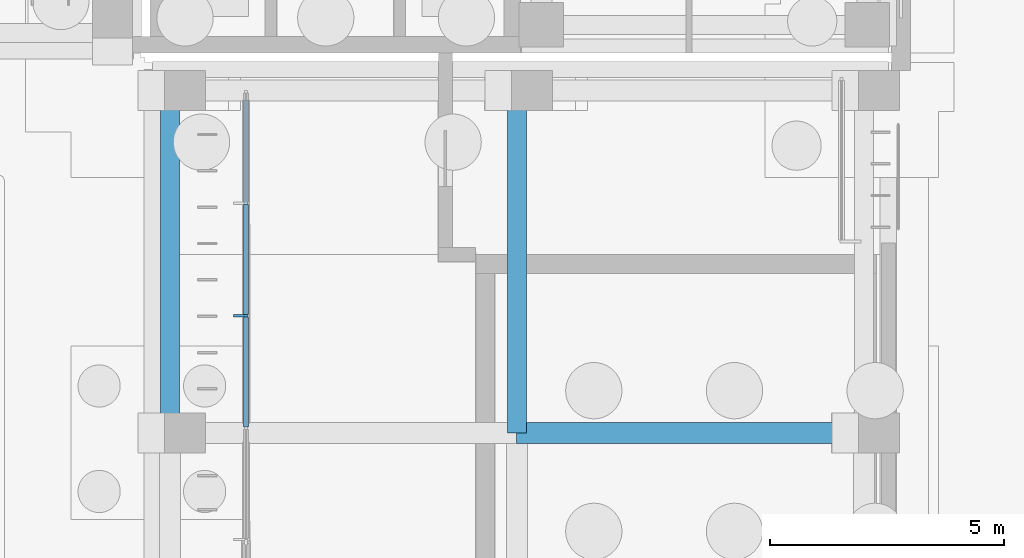
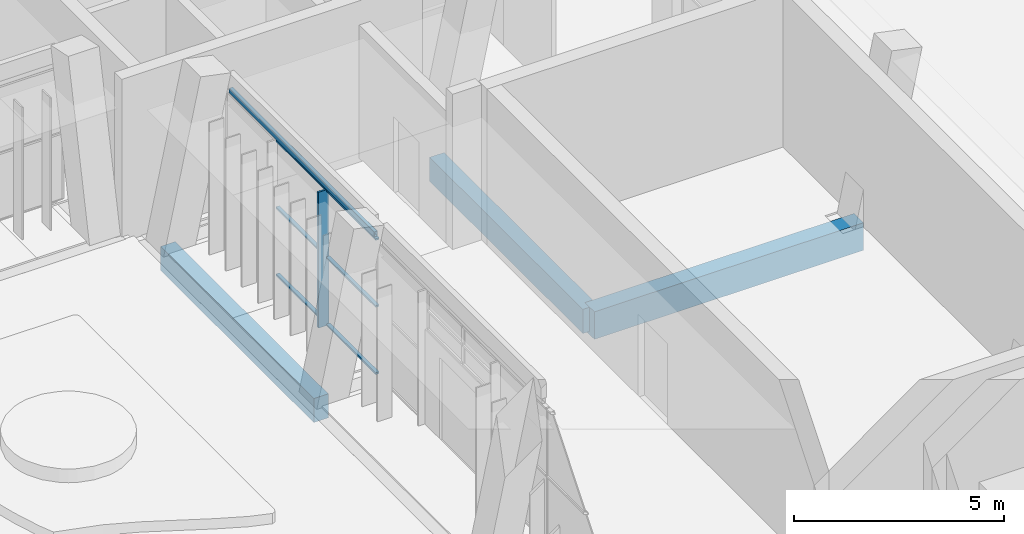
# One storey, part 75 of 144: 7 members, 4 beams, 1 element without a shape of its own.
"""IFC4 building model written with IfcOpenShell, lengths in metres."""

from ifc_helpers import new_model, si_unit, direction, frame, origin, origin_2d, place, context, subcontext, project, spatial, rectangle, hollow_rectangle, extrude, material, material_profile, profile_set, type_object, element, aggregate, save


model = new_model("IFC4")

# Units and contexts
model_context = context("Model", 3, precision=1e-05, world=origin(), true_north=direction((0.0, 1.0)))
body_context = subcontext(model_context, "Body", "Model", "MODEL_VIEW")
ifc_project = project(units=[si_unit("LENGTHUNIT", "METRE"), si_unit("AREAUNIT", "SQUARE_METRE"), si_unit("VOLUMEUNIT", "CUBIC_METRE"), si_unit("PLANEANGLEUNIT", "RADIAN"), si_unit("MASSUNIT", "GRAM", prefix="KILO")], contexts=[model_context])

# Site, building, storey
site_placement = place(None, origin())
site = spatial("IfcSite", under=ifc_project, at=site_placement, CompositionType="ELEMENT")
building_placement = place(site_placement, origin())
building = spatial("IfcBuilding", under=site, at=building_placement, Name="Lantern Court Media Centre", CompositionType="ELEMENT")
storey_placement = place(building_placement, origin())
storey = spatial("IfcBuildingStorey", under=building, at=storey_placement, Name="L00", CompositionType="ELEMENT", Elevation=0.0)

# Curtain wall, members
ifc_material_1 = material(Name="Curtain wall bay 2400")
curtain_wall_type = type_object("IfcCurtainWallType", Name="Curtain wall bay 2400", PredefinedType="NOTDEFINED", material=ifc_material_1)
curtain_wall_placement = place(storey_placement, origin())
curtain_wall = element("IfcCurtainWall", 1, at=curtain_wall_placement, inside=storey, type_object=curtain_wall_type, Name="Curtain wall E inner L00", PredefinedType="NOTDEFINED")
ifc_material_2 = material(Name="Anodised aluminium", Category="aluminium")
ifc_material_profile_1 = material_profile(ifc_material_2, rectangle(XDim=0.300048828125, YDim=0.050048828125, at=origin_2d()), Name="AL 50x300")
ifc_profile_set_1 = profile_set([ifc_material_profile_1], Name="Anodised aluminium")
member_type_1 = type_object("IfcMemberType", Name="Curtain wall mullion 50x300", PredefinedType="MULLION", material=ifc_profile_set_1)
member_1_placement = place(storey_placement, frame((82.030029296875, 90.5, 0.0), z_axis=(0.0, 0.0, 1.0), x_axis=(-1.0, 0.0, 0.0)))
member_1 = element("IfcMember", 2, at=member_1_placement, type_object=member_type_1, Name="CW2 mullion 3", PredefinedType="MULLION", context=body_context, shape_type="SweptSolid", body=[
    extrude(rectangle(XDim=0.300048828125, YDim=0.050048828125, at=origin_2d()), origin(), (0.0, 0.0, 1.0), 3.949951171875),
])
ifc_material_profile_2 = material_profile(ifc_material_2, rectangle(XDim=0.10009765625, YDim=0.050048828125, at=origin_2d()), Name="AL 50x100")
ifc_profile_set_2 = profile_set([ifc_material_profile_2], Name="Anodised aluminium")
member_type_2 = type_object("IfcMemberType", Name="Curtain wall transom 100x50", PredefinedType="USERDEFINED", material=ifc_profile_set_2)
member_2_placement = place(storey_placement, frame((82.14990234375, 88.125, 0.02490234375), z_axis=(0.0, 1.0, 0.0), x_axis=(-1.0, 0.0, 0.0)))
member_2 = element("IfcMember", 3, at=member_2_placement, type_object=member_type_2, Name="CW2 transom 2.1", ObjectType="TRANSOM", PredefinedType="USERDEFINED", context=body_context, shape_type="SweptSolid", body=[
    extrude(rectangle(XDim=0.10009765625, YDim=0.050048828125, at=origin_2d()), origin(), (0.0, 0.0, 1.0), 2.35009765625),
])
member_3_placement = place(storey_placement, frame((82.14990234375, 88.125, 1.97509765625), z_axis=(0.0, 1.0, 0.0), x_axis=(-1.0, 0.0, 0.0)))
member_3 = element("IfcMember", 4, at=member_3_placement, type_object=member_type_2, Name="CW2 transom 2.2", ObjectType="TRANSOM", PredefinedType="USERDEFINED", context=body_context, shape_type="SweptSolid", body=[
    extrude(rectangle(XDim=0.10009765625, YDim=0.050048828125, at=origin_2d()), origin(), (0.0, 0.0, 1.0), 2.35009765625),
])
member_4_placement = place(storey_placement, frame((82.14990234375, 88.125, 3.925048828125), z_axis=(0.0, 1.0, 0.0), x_axis=(-1.0, 0.0, 0.0)))
member_4 = element("IfcMember", 5, at=member_4_placement, type_object=member_type_2, Name="CW2 transom 2.3", ObjectType="TRANSOM", PredefinedType="USERDEFINED", context=body_context, shape_type="SweptSolid", body=[
    extrude(rectangle(XDim=0.10009765625, YDim=0.050048828125, at=origin_2d()), origin(), (0.0, 0.0, 1.0), 2.35009765625),
])
member_5_placement = place(storey_placement, frame((82.14990234375, 90.52490234375, 0.02490234375), z_axis=(0.0, 1.0, 0.0), x_axis=(-1.0, 0.0, 0.0)))
member_5 = element("IfcMember", 6, at=member_5_placement, type_object=member_type_2, Name="CW2 transom 3.1", ObjectType="TRANSOM", PredefinedType="USERDEFINED", context=body_context, shape_type="SweptSolid", body=[
    extrude(rectangle(XDim=0.10009765625, YDim=0.050048828125, at=origin_2d()), origin(), (0.0, 0.0, 1.0), 2.35009765625),
])
member_6_placement = place(storey_placement, frame((82.14990234375, 90.52490234375, 1.97509765625), z_axis=(0.0, 1.0, 0.0), x_axis=(-1.0, 0.0, 0.0)))
member_6 = element("IfcMember", 7, at=member_6_placement, type_object=member_type_2, Name="CW2 transom 3.2", ObjectType="TRANSOM", PredefinedType="USERDEFINED", context=body_context, shape_type="SweptSolid", body=[
    extrude(rectangle(XDim=0.10009765625, YDim=0.050048828125, at=origin_2d()), origin(), (0.0, 0.0, 1.0), 2.35009765625),
])
member_7_placement = place(storey_placement, frame((82.14990234375, 90.52490234375, 3.925048828125), z_axis=(0.0, 1.0, 0.0), x_axis=(-1.0, 0.0, 0.0)))
member_7 = element("IfcMember", 8, at=member_7_placement, type_object=member_type_2, Name="CW2 transom 3.3", ObjectType="TRANSOM", PredefinedType="USERDEFINED", context=body_context, shape_type="SweptSolid", body=[
    extrude(rectangle(XDim=0.10009765625, YDim=0.050048828125, at=origin_2d()), origin(), (0.0, 0.0, 1.0), 2.35009765625),
])
aggregate(curtain_wall, [member_1, member_2, member_3, member_4, member_5, member_6, member_7])

# Beams
ifc_material_3 = material(Name="Steel S355J2 (EN 10025-2)", Category="steel")
ifc_material_profile_3 = material_profile(ifc_material_3, hollow_rectangle(XDim=0.10009765625, YDim=0.14990234375, WallThickness=0.00634765625, InnerFilletRadius=0.00634765625, OuterFilletRadius=0.009521484375, at=origin_2d()), Name="Facade head lintel RHS 150x100x6.3")
ifc_profile_set_3 = profile_set([ifc_material_profile_3], Name="Steel S355J2 (EN 10025-2)")
beam_type_1 = type_object("IfcBeamType", Name="Facade head lintel RHS 150x100x6.3", PredefinedType="BEAM", material=ifc_profile_set_3)
beam_1_placement = place(storey_placement, frame((82.14990234375, 88.199951171875, 4.02490234375), z_axis=(0.0, 1.0, 0.0), x_axis=(-1.0, 0.0, 0.0)))
element("IfcBeam", 9, at=beam_1_placement, inside=storey, type_object=beam_type_1, Name="Facade head lintel E L00", PredefinedType="BEAM", context=body_context, shape_type="SweptSolid", body=[
    extrude(hollow_rectangle(XDim=0.10009765625, YDim=0.14990234375, WallThickness=0.00634765625, InnerFilletRadius=0.00634765625, OuterFilletRadius=0.009521484375, at=origin_2d()), origin(), (0.0, 0.0, 1.0), 6.900146484375),
])
ifc_material_4 = material(Name="Concrete C35", Category="concrete")
ifc_material_profile_4 = material_profile(ifc_material_4, rectangle(XDim=0.39990234375, YDim=0.699951171875, at=origin_2d()), Name="RC 400x700")
ifc_profile_set_4 = profile_set([ifc_material_profile_4], Name="Concrete C35")
beam_type_2 = type_object("IfcBeamType", Name="RC BEAM 400x700", PredefinedType="BEAM", material=ifc_profile_set_4)
for number, where, z_axis, x_axis, name in (
    (10, (80.527099609375, 88.0, -0.35009765625), (0.0, 1.0, 0.0), (-1.0, 0.0, 0.0), "LB-E-L00-0-3"),
    (11, (87.927001953125, 88.0, -0.35009765625), (0.0, 1.0, 0.0), (-1.0, 0.0, 0.0), "LB-E-L00-1-3"),
):
    element("IfcBeam", number, at=place(storey_placement, frame(where, z_axis=z_axis, x_axis=x_axis)), inside=storey, type_object=beam_type_2, Name=name, PredefinedType="BEAM", context=body_context, shape_type="SweptSolid", body=[
        extrude(rectangle(XDim=0.39990234375, YDim=0.699951171875, at=origin_2d()), origin(), (0.0, 0.0, 1.0), 7.300048828125),
    ])
ifc_material_profile_5 = material_profile(ifc_material_4, rectangle(XDim=0.449951171875, YDim=0.800048828125, at=origin_2d()), Name="RC 450x800")
ifc_profile_set_5 = profile_set([ifc_material_profile_5], Name="Concrete C35")
beam_type_3 = type_object("IfcBeamType", Name="RC BEAM 450x800", PredefinedType="BEAM", material=ifc_profile_set_5)
beam_2_placement = place(storey_placement, frame((87.916748046875, 88.0, -0.39990234375), z_axis=(1.0, 0.0, 0.0), x_axis=(0.0, 1.0, 0.0)))
element("IfcBeam", 12, at=beam_2_placement, inside=storey, type_object=beam_type_3, Name="TB-E-L00-3-2", PredefinedType="BEAM", context=body_context, shape_type="SweptSolid", body=[
    extrude(rectangle(XDim=0.449951171875, YDim=0.800048828125, at=origin_2d()), origin(), (0.0, 0.0, 1.0), 7.39990234375),
])

save(model, "model.ifc")
